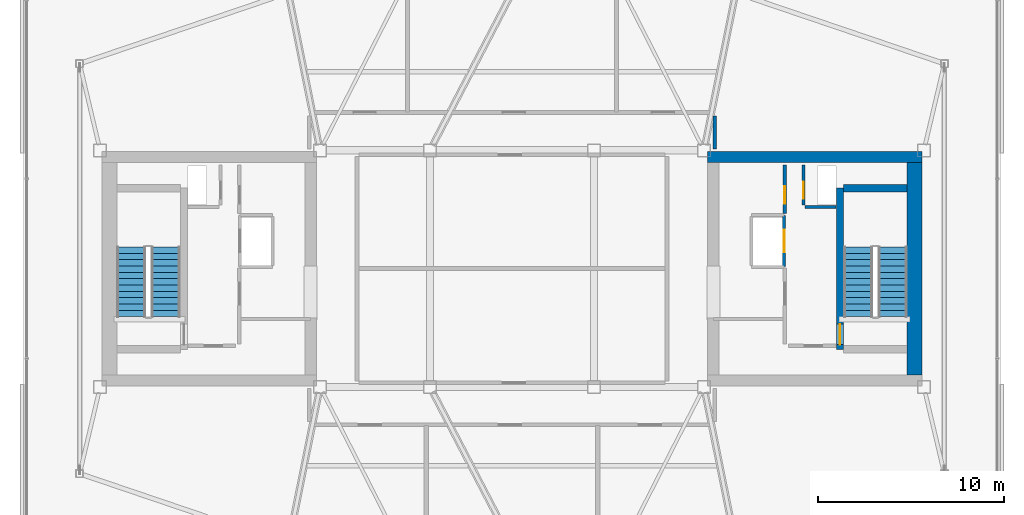
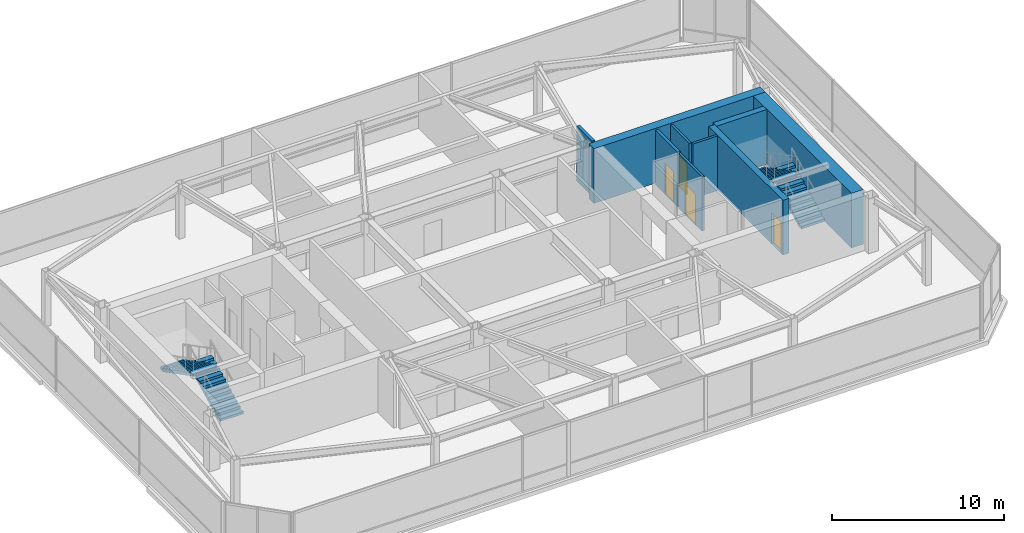
# One storey, part 19 of 22: 9 walls, 4 doors, 4 stair flights, 4 openings, 2 elements without a shape of their own.
"""IFC4 building model written with IfcOpenShell, lengths in metres."""

from ifc_helpers import new_model, si_unit, direction, frame, frame_2d, origin, place, context, subcontext, project, spatial, polyline, rectangle, outline, extrude, material, layer, layer_set, type_object, element, fill, aggregate, save


model = new_model("IFC4")

# Units and contexts
model_context = context("Model", 3, precision=1e-05, world=origin(), true_north=direction((0.0, 1.0)))
body_context = subcontext(model_context, "Body", "Model", "MODEL_VIEW")
ifc_project = project(units=[si_unit("LENGTHUNIT", "METRE"), si_unit("AREAUNIT", "SQUARE_METRE"), si_unit("VOLUMEUNIT", "CUBIC_METRE"), si_unit("PLANEANGLEUNIT", "RADIAN"), si_unit("MASSUNIT", "GRAM", prefix="KILO")], contexts=[model_context])

# Site, building, storey
site_placement = place(None, origin())
site = spatial("IfcSite", under=ifc_project, at=site_placement, CompositionType="ELEMENT")
building_placement = place(site_placement, origin())
building = spatial("IfcBuilding", under=site, at=building_placement, Name="Tavrogorsk Clinical Tower", CompositionType="ELEMENT")
storey_placement = place(building_placement, frame((0.0, 0.0, 352.800048828125)))
storey = spatial("IfcBuildingStorey", under=building, at=storey_placement, Name="L82", CompositionType="ELEMENT", Elevation=352.800048828125)

# Wall, opening, door
ifc_material_1 = material(Name="Concrete B60", Category="concrete")
ifc_layer_1 = layer(ifc_material_1, 0.199951171875)
ifc_layer_set_1 = layer_set([ifc_layer_1], Name="Concrete B60")
wall_type_1 = type_object("IfcWallType", Name="CoreFireWall_200", PredefinedType="SOLIDWALL", material=ifc_layer_set_1)
wall_1_placement = place(storey_placement, frame((14.639892578125, 2.9599609375, 0.0), z_axis=(0.0, 0.0, 1.0), x_axis=(0.0, 1.0, 0.0)))
wall_1 = element("IfcWall", 1, at=wall_1_placement, inside=storey, type_object=wall_type_1, Name="L82 Core East North Core Room East Wall", PredefinedType="SOLIDWALL", context=body_context, shape_type="SweptSolid", body=[
    extrude(rectangle(XDim=2.60009765625, YDim=0.199951171875, at=frame_2d((1.300048828125, 0.0))), origin(), (0.0, 0.0, 1.0), 3.8798828125),
])
opening_1_placement = place(wall_1_placement, frame((0.52001953125, 0.0, 0.0)))
opening_1 = element("IfcOpeningElement", 2, at=opening_1_placement, cuts=wall_1, Name="Opening ID-02", PredefinedType="OPENING", context=body_context, shape_type="SweptSolid", body=[
    extrude(rectangle(XDim=0.949951171875, YDim=2.199951171875, at=frame_2d((0.47509765625, 1.10009765625))), frame((0.0, 0.10986328125, 0.0), z_axis=(0.0, -1.0, 0.0), x_axis=(1.0, 0.0, 0.0)), (0.0, 0.0, 1.0), 0.219970703125),
])
ifc_material_2 = material(Name="Laminated timber leaf on aluminium frame", Category="wood")
door_type_1 = type_object("IfcDoorType", Name="InteriorDoor_ID02_950", OperationType="NOTDEFINED", PredefinedType="DOOR", material=ifc_material_2)
door_1_placement = place(opening_1_placement, origin())
door_1 = element("IfcDoor", 3, at=door_1_placement, inside=storey, type_object=door_type_1, Name="L82 Core East Core Telemetry Room Door", OperationType="SINGLE_SWING_LEFT", OverallHeight=2.199951171875, OverallWidth=0.949951171875, PredefinedType="DOOR", context=body_context, shape_type="SweptSolid", body=[
    extrude(rectangle(XDim=0.949951171875, YDim=2.199951171875, at=frame_2d((0.47509765625, 1.10009765625))), frame((0.0, 0.02490234375, 0.0), z_axis=(0.0, -1.0, 0.0), x_axis=(1.0, 0.0, 0.0)), (0.0, 0.0, 1.0), 0.050048828125),
])
fill(opening_1, door_1)

# Wall
wall_2_placement = place(storey_placement, frame((10.8798828125, 8.195068359375, 0.0), z_axis=(0.0, 0.0, 1.0), x_axis=(0.0, -1.0, 0.0)))
element("IfcWall", 4, at=wall_2_placement, inside=storey, type_object=wall_type_1, Name="L82 Crown Corridor Wall 04", PredefinedType="SOLIDWALL", context=body_context, shape_type="SweptSolid", body=[
    extrude(rectangle(XDim=1.775146484375, YDim=0.199951171875, at=frame_2d((0.8876953125, 0.0))), origin(), (0.0, 0.0, 1.0), 3.8798828125),
])

# Wall, opening, door
ifc_material_3 = material(Name="Lightweight concrete blockwork B25", Category="masonry")
ifc_layer_2 = layer(ifc_material_3, 0.159912109375)
ifc_layer_set_2 = layer_set([ifc_layer_2], Name="Lightweight concrete blockwork B25")
wall_type_2 = type_object("IfcWallType", Name="ShaftWall_160", PredefinedType="PARTITIONING", material=ifc_layer_set_2)
wall_3_placement = place(storey_placement, frame((14.60009765625, 0.1201171875, 0.0), z_axis=(0.0, 0.0, 1.0), x_axis=(0.0, 1.0, 0.0)))
wall_3 = element("IfcWall", 5, at=wall_3_placement, inside=storey, type_object=wall_type_2, Name="L82 FFL-E Firefighting Lift Front Wall", PredefinedType="PARTITIONING", context=body_context, shape_type="SweptSolid", body=[
    extrude(rectangle(XDim=2.739990234375, YDim=0.159912109375, at=frame_2d((1.3701171875, 0.0))), origin(), (0.0, 0.0, 1.0), 3.8798828125),
])
opening_2_placement = place(wall_3_placement, frame((0.77001953125, 0.0, 0.0)))
opening_2 = element("IfcOpeningElement", 6, at=opening_2_placement, cuts=wall_3, Name="Opening LD", PredefinedType="OPENING", context=body_context, shape_type="SweptSolid", body=[
    extrude(rectangle(XDim=1.199951171875, YDim=2.199951171875, at=frame_2d((0.60009765625, 1.10009765625))), frame((0.0, 0.08984375, 0.0), z_axis=(0.0, -1.0, 0.0), x_axis=(1.0, 0.0, 0.0)), (0.0, 0.0, 1.0), 0.179931640625),
])
ifc_material_4 = material(Name="Brushed stainless steel AISI 304 sliding doors", Category="steel")
door_type_2 = type_object("IfcDoorType", Name="LiftLandingDoor_LD_1200", OperationType="SLIDING_TO_LEFT", PredefinedType="DOOR", material=ifc_material_4)
door_2_placement = place(opening_2_placement, origin())
door_2 = element("IfcDoor", 7, at=door_2_placement, inside=storey, type_object=door_type_2, Name="L82 FFL-E Sliding Lift Landing Door", OperationType="SLIDING_TO_LEFT", OverallHeight=2.199951171875, OverallWidth=1.199951171875, PredefinedType="DOOR", context=body_context, shape_type="SweptSolid", body=[
    extrude(rectangle(XDim=1.199951171875, YDim=2.199951171875, at=frame_2d((0.60009765625, 1.10009765625))), frame((0.0, 0.02490234375, 0.0), z_axis=(0.0, -1.0, 0.0), x_axis=(1.0, 0.0, 0.0)), (0.0, 0.0, 1.0), 0.050048828125),
])
fill(opening_2, door_2)

wall_4_placement = place(storey_placement, frame((15.639892578125, 3.405029296875, 0.0), z_axis=(0.0, 0.0, 1.0), x_axis=(0.0, 1.0, 0.0)))
wall_4 = element("IfcWall", 8, at=wall_4_placement, inside=storey, type_object=wall_type_2, Name="L82 Core East Riser West Wall", PredefinedType="PARTITIONING", context=body_context, shape_type="SweptSolid", body=[
    extrude(rectangle(XDim=2.155029296875, YDim=0.159912109375, at=frame_2d((1.07763671875, 0.0))), origin(), (0.0, 0.0, 1.0), 3.8798828125),
])
opening_3_placement = place(wall_4_placement, frame((0.35009765625, 0.0, 0.0)))
opening_3 = element("IfcOpeningElement", 9, at=opening_3_placement, cuts=wall_4, Name="Opening FD-02", PredefinedType="OPENING", context=body_context, shape_type="SweptSolid", body=[
    extrude(rectangle(XDim=0.89990234375, YDim=2.199951171875, at=frame_2d((0.449951171875, 1.10009765625))), frame((0.0, 0.08984375, 0.0), z_axis=(0.0, -1.0, 0.0), x_axis=(1.0, 0.0, 0.0)), (0.0, 0.0, 1.0), 0.179931640625),
])
ifc_material_5 = material(Name="Galvanised steel fire-rated door assembly", Category="steel")
door_type_3 = type_object("IfcDoorType", Name="FireDoor_FD02_900", OperationType="NOTDEFINED", PredefinedType="DOOR", material=ifc_material_5)
door_3_placement = place(opening_3_placement, origin())
door_3 = element("IfcDoor", 10, at=door_3_placement, inside=storey, type_object=door_type_3, Name="L82 Core East Electrical Riser Access Door", OperationType="SINGLE_SWING_LEFT", OverallHeight=2.199951171875, OverallWidth=0.89990234375, PredefinedType="DOOR", context=body_context, shape_type="SweptSolid", body=[
    extrude(rectangle(XDim=0.89990234375, YDim=2.199951171875, at=frame_2d((0.449951171875, 1.10009765625))), frame((0.0, 0.02490234375, 0.0), z_axis=(0.0, -1.0, 0.0), x_axis=(1.0, 0.0, 0.0)), (0.0, 0.0, 1.0), 0.050048828125),
])
fill(opening_3, door_3)

# Wall
wall_5_placement = place(storey_placement, frame((15.72509765625, 3.320068359375, 0.0), z_axis=(0.0, 0.0, 1.0), x_axis=(1.0, 0.0, 0.0)))
element("IfcWall", 11, at=wall_5_placement, inside=storey, type_object=wall_type_2, Name="L82 Core East Riser South Wall", PredefinedType="PARTITIONING", context=body_context, shape_type="SweptSolid", body=[
    extrude(rectangle(XDim=1.65478515625, YDim=0.159912109375, at=frame_2d((0.827392578125, 0.0))), origin(), (0.0, 0.0, 1.0), 3.8798828125),
])

# Wall, opening, door
ifc_material_6 = material(Name="Concrete B80", Category="concrete")
ifc_layer_3 = layer(ifc_material_6, 0.39990234375)
ifc_layer_set_3 = layer_set([ifc_layer_3], Name="Concrete B80")
wall_type_3 = type_object("IfcWallType", Name="ShearWall_400", PredefinedType="SHEAR", material=ifc_layer_set_3)
wall_6_placement = place(storey_placement, frame((17.60009765625, -4.324951171875, 0.0), z_axis=(0.0, 0.0, 1.0), x_axis=(0.0, 1.0, 0.0)))
wall_6 = element("IfcWall", 12, at=wall_6_placement, inside=storey, type_object=wall_type_3, Name="L82 Core East Stair Shaft Inner Shear Wall", PredefinedType="SHEAR", context=body_context, shape_type="SweptSolid", body=[
    extrude(rectangle(XDim=8.64990234375, YDim=0.39990234375, at=frame_2d((4.324951171875, 0.0))), origin(), (0.0, 0.0, 1.0), 3.8798828125),
])
opening_4_placement = place(wall_6_placement, frame((0.25, 0.0, 0.0)))
opening_4 = element("IfcOpeningElement", 13, at=opening_4_placement, cuts=wall_6, Name="Opening SD-01", PredefinedType="OPENING", context=body_context, shape_type="SweptSolid", body=[
    extrude(rectangle(XDim=1.10009765625, YDim=2.199951171875, at=frame_2d((0.550048828125, 1.10009765625))), frame((0.0, 0.2099609375, 0.0), z_axis=(0.0, -1.0, 0.0), x_axis=(1.0, 0.0, 0.0)), (0.0, 0.0, 1.0), 0.419921875),
])
ifc_material_7 = material(Name="Galvanised steel smoke-tight fire door assembly", Category="steel")
door_type_4 = type_object("IfcDoorType", Name="StairFireDoor_SD01_1100", OperationType="NOTDEFINED", PredefinedType="DOOR", material=ifc_material_7)
door_4_placement = place(opening_4_placement, origin())
door_4 = element("IfcDoor", 14, at=door_4_placement, inside=storey, type_object=door_type_4, Name="L82 ST-E Exit Stair Door", OperationType="SINGLE_SWING_RIGHT", OverallHeight=2.199951171875, OverallWidth=1.10009765625, PredefinedType="DOOR", context=body_context, shape_type="SweptSolid", body=[
    extrude(rectangle(XDim=1.10009765625, YDim=2.199951171875, at=frame_2d((0.550048828125, 1.10009765625))), frame((0.0, 0.02490234375, 0.0), z_axis=(0.0, -1.0, 0.0), x_axis=(1.0, 0.0, 0.0)), (0.0, 0.0, 1.0), 0.050048828125),
])
fill(opening_4, door_4)

# Walls
wall_7_placement = place(storey_placement, frame((17.800048828125, 4.324951171875, 0.0), z_axis=(0.0, 0.0, 1.0), x_axis=(1.0, 0.0, 0.0)))
element("IfcWall", 15, at=wall_7_placement, inside=storey, type_object=wall_type_3, Name="L82 Core East Stair Shaft North Shear Wall", PredefinedType="SHEAR", context=body_context, shape_type="SweptSolid", body=[
    extrude(rectangle(XDim=3.39990234375, YDim=0.39990234375, at=frame_2d((1.699951171875, 0.0))), origin(), (0.0, 0.0, 1.0), 3.8798828125),
])
ifc_material_8 = material(Name="Concrete B80", Category="concrete")
ifc_layer_4 = layer(ifc_material_8, 0.60009765625)
ifc_layer_set_4 = layer_set([ifc_layer_4], Name="Concrete B80")
wall_type_4 = type_object("IfcWallType", Name="ShearWall_600", PredefinedType="SHEAR", material=ifc_layer_set_4)
wall_8_placement = place(storey_placement, frame((10.5, 6.0, 0.0), z_axis=(0.0, 0.0, 1.0), x_axis=(1.0, 0.0, 0.0)))
element("IfcWall", 16, at=wall_8_placement, inside=storey, type_object=wall_type_4, Name="L82 Core East North Shear Wall", PredefinedType="SHEAR", context=body_context, shape_type="SweptSolid", body=[
    extrude(rectangle(XDim=11.5, YDim=0.60009765625, at=frame_2d((5.75, 0.0))), origin(), (0.0, 0.0, 1.0), 3.8798828125),
])
ifc_material_9 = material(Name="Concrete B80", Category="concrete")
ifc_layer_5 = layer(ifc_material_9, 0.800048828125)
ifc_layer_set_5 = layer_set([ifc_layer_5], Name="Concrete B80")
wall_type_5 = type_object("IfcWallType", Name="ShearWall_800", PredefinedType="SHEAR", material=ifc_layer_set_5)
wall_9_placement = place(storey_placement, frame((21.60009765625, -5.699951171875, 0.0), z_axis=(0.0, 0.0, 1.0), x_axis=(0.0, 1.0, 0.0)))
element("IfcWall", 17, at=wall_9_placement, inside=storey, type_object=wall_type_5, Name="L82 Core East End Shear Wall", PredefinedType="SHEAR", context=body_context, shape_type="SweptSolid", body=[
    extrude(rectangle(XDim=11.39990234375, YDim=0.800048828125, at=frame_2d((5.699951171875, 0.0))), origin(), (0.0, 0.0, 1.0), 3.8798828125),
])

# Stair, stair flights
ifc_material_10 = material(Name="Concrete B60", Category="concrete")
stair_type = type_object("IfcStairType", Name="CoreStairAssembly", PredefinedType="HALF_TURN_STAIR", material=ifc_material_10)
stair_1_placement = place(storey_placement, origin())
stair_1 = element("IfcStair", 18, at=stair_1_placement, inside=storey, type_object=stair_type, Name="L82 ST-W", PredefinedType="HALF_TURN_STAIR")
ifc_material_11 = material(Name="Concrete B60", Category="concrete")
stair_flight_type = type_object("IfcStairFlightType", Name="CoreStairFlight", PredefinedType="STRAIGHT", material=ifc_material_11)
stair_flight_1_placement = place(storey_placement, frame((-18.574951171875, -2.574951171875, 0.0), z_axis=(0.0, 0.0, 1.0), x_axis=(0.0, 1.0, 0.0)))
stair_flight_1 = element("IfcStairFlight", 19, at=stair_flight_1_placement, type_object=stair_flight_type, Name="ST-W flight 1", NumberOfRisers=12, NumberOfTreads=11, PredefinedType="STRAIGHT", RiserHeight=0.175, TreadLength=0.34, context=body_context, shape_type="SweptSolid", body=[
    extrude(outline(polyline([(0.0, 0.0), (0.0, 0.175048828125), (0.340087890625, 0.175048828125), (0.340087890625, 0.35009765625), (0.679931640625, 0.35009765625), (0.679931640625, 0.52490234375), (1.02001953125, 0.52490234375), (1.02001953125, 0.699951171875), (1.360107421875, 0.699951171875), (1.360107421875, 0.875), (1.699951171875, 0.875), (1.699951171875, 1.050048828125), (2.0400390625, 1.050048828125), (2.0400390625, 1.22509765625), (2.3798828125, 1.22509765625), (2.3798828125, 1.39990234375), (2.719970703125, 1.39990234375), (2.719970703125, 1.574951171875), (3.06005859375, 1.574951171875), (3.06005859375, 1.75), (3.39990234375, 1.75), (3.39990234375, 1.925048828125), (3.739990234375, 1.925048828125), (3.739990234375, 2.10009765625), (3.739990234375, 1.75634765625), (0.32763671875, 0.0), (0.0, 0.0)])), frame((0.0, 0.77490234375, 0.0), z_axis=(0.0, -1.0, 0.0), x_axis=(1.0, 0.0, 0.0)), (0.0, 0.0, 1.0), 1.550048828125),
])
stair_flight_2_placement = place(storey_placement, frame((-20.425048828125, 1.1650390625, 2.099853515625), z_axis=(0.0, 0.0, 1.0), x_axis=(0.0, -1.0, 0.0)))
stair_flight_2 = element("IfcStairFlight", 20, at=stair_flight_2_placement, type_object=stair_flight_type, Name="ST-W flight 2", NumberOfRisers=12, NumberOfTreads=11, PredefinedType="STRAIGHT", RiserHeight=0.175, TreadLength=0.34, context=body_context, shape_type="SweptSolid", body=[
    extrude(outline(polyline([(0.0, 0.0), (0.0, 0.175048828125), (0.340087890625, 0.175048828125), (0.340087890625, 0.35009765625), (0.679931640625, 0.35009765625), (0.679931640625, 0.52490234375), (1.02001953125, 0.52490234375), (1.02001953125, 0.699951171875), (1.360107421875, 0.699951171875), (1.360107421875, 0.875), (1.699951171875, 0.875), (1.699951171875, 1.050048828125), (2.0400390625, 1.050048828125), (2.0400390625, 1.22509765625), (2.3798828125, 1.22509765625), (2.3798828125, 1.39990234375), (2.719970703125, 1.39990234375), (2.719970703125, 1.574951171875), (3.06005859375, 1.574951171875), (3.06005859375, 1.75), (3.39990234375, 1.75), (3.39990234375, 1.925048828125), (3.739990234375, 1.925048828125), (3.739990234375, 2.10009765625), (3.739990234375, 1.75634765625), (0.32763671875, 0.0), (0.0, 0.0)])), frame((0.0, 0.77490234375, 0.0), z_axis=(0.0, -1.0, 0.0), x_axis=(1.0, 0.0, 0.0)), (0.0, 0.0, 1.0), 1.550048828125),
])
aggregate(stair_1, [stair_flight_1, stair_flight_2])

stair_2_placement = place(storey_placement, origin())
stair_2 = element("IfcStair", 21, at=stair_2_placement, inside=storey, type_object=stair_type, Name="L82 ST-E", PredefinedType="HALF_TURN_STAIR")
stair_flight_3_placement = place(storey_placement, frame((20.425048828125, -2.574951171875, 0.0), z_axis=(0.0, 0.0, 1.0), x_axis=(0.0, 1.0, 0.0)))
stair_flight_3 = element("IfcStairFlight", 22, at=stair_flight_3_placement, type_object=stair_flight_type, Name="ST-E flight 1", NumberOfRisers=12, NumberOfTreads=11, PredefinedType="STRAIGHT", RiserHeight=0.175, TreadLength=0.34, context=body_context, shape_type="SweptSolid", body=[
    extrude(outline(polyline([(0.0, 0.0), (0.0, 0.175048828125), (0.340087890625, 0.175048828125), (0.340087890625, 0.35009765625), (0.679931640625, 0.35009765625), (0.679931640625, 0.52490234375), (1.02001953125, 0.52490234375), (1.02001953125, 0.699951171875), (1.360107421875, 0.699951171875), (1.360107421875, 0.875), (1.699951171875, 0.875), (1.699951171875, 1.050048828125), (2.0400390625, 1.050048828125), (2.0400390625, 1.22509765625), (2.3798828125, 1.22509765625), (2.3798828125, 1.39990234375), (2.719970703125, 1.39990234375), (2.719970703125, 1.574951171875), (3.06005859375, 1.574951171875), (3.06005859375, 1.75), (3.39990234375, 1.75), (3.39990234375, 1.925048828125), (3.739990234375, 1.925048828125), (3.739990234375, 2.10009765625), (3.739990234375, 1.75634765625), (0.32763671875, 0.0), (0.0, 0.0)])), frame((0.0, 0.77490234375, 0.0), z_axis=(0.0, -1.0, 0.0), x_axis=(1.0, 0.0, 0.0)), (0.0, 0.0, 1.0), 1.550048828125),
])
stair_flight_4_placement = place(storey_placement, frame((18.574951171875, 1.1650390625, 2.099853515625), z_axis=(0.0, 0.0, 1.0), x_axis=(0.0, -1.0, 0.0)))
stair_flight_4 = element("IfcStairFlight", 23, at=stair_flight_4_placement, type_object=stair_flight_type, Name="ST-E flight 2", NumberOfRisers=12, NumberOfTreads=11, PredefinedType="STRAIGHT", RiserHeight=0.175, TreadLength=0.34, context=body_context, shape_type="SweptSolid", body=[
    extrude(outline(polyline([(0.0, 0.0), (0.0, 0.175048828125), (0.340087890625, 0.175048828125), (0.340087890625, 0.35009765625), (0.679931640625, 0.35009765625), (0.679931640625, 0.52490234375), (1.02001953125, 0.52490234375), (1.02001953125, 0.699951171875), (1.360107421875, 0.699951171875), (1.360107421875, 0.875), (1.699951171875, 0.875), (1.699951171875, 1.050048828125), (2.0400390625, 1.050048828125), (2.0400390625, 1.22509765625), (2.3798828125, 1.22509765625), (2.3798828125, 1.39990234375), (2.719970703125, 1.39990234375), (2.719970703125, 1.574951171875), (3.06005859375, 1.574951171875), (3.06005859375, 1.75), (3.39990234375, 1.75), (3.39990234375, 1.925048828125), (3.739990234375, 1.925048828125), (3.739990234375, 2.10009765625), (3.739990234375, 1.75634765625), (0.32763671875, 0.0), (0.0, 0.0)])), frame((0.0, 0.77490234375, 0.0), z_axis=(0.0, -1.0, 0.0), x_axis=(1.0, 0.0, 0.0)), (0.0, 0.0, 1.0), 1.550048828125),
])
aggregate(stair_2, [stair_flight_3, stair_flight_4])

save(model, "model.ifc")
